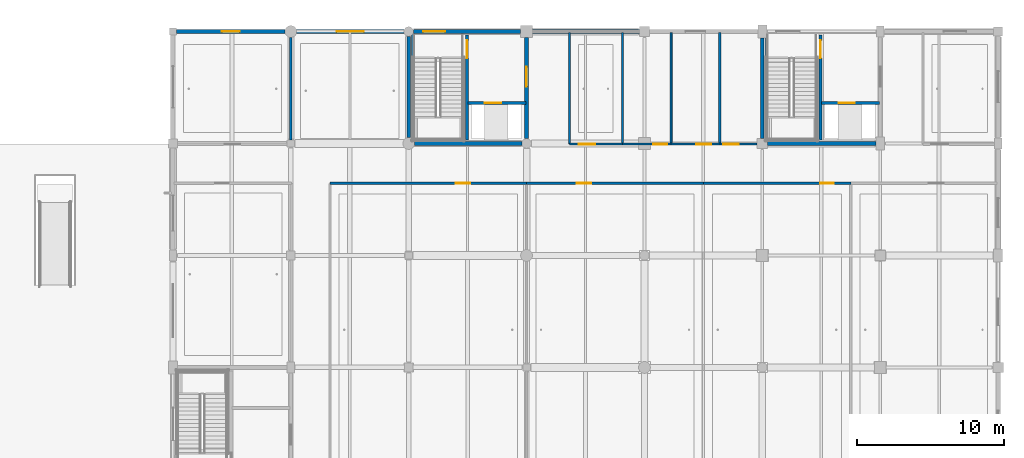
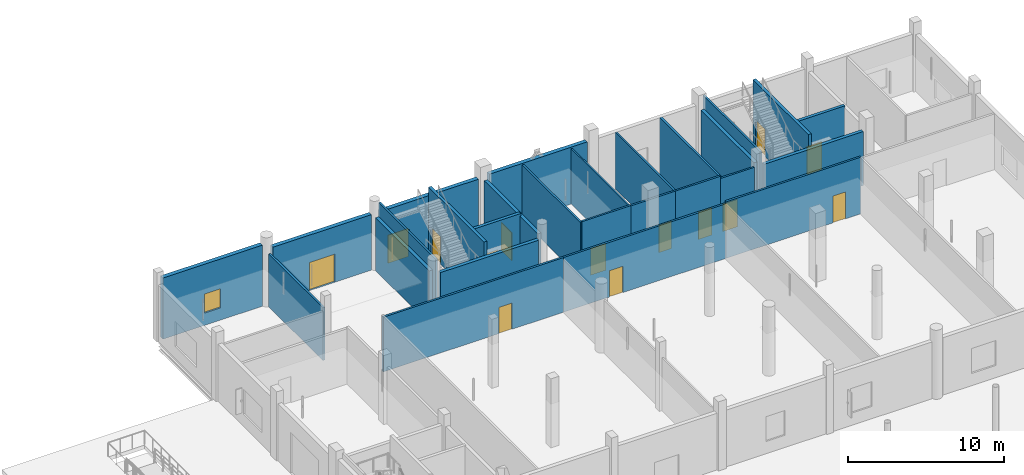
# One storey, part 70 of 126: 27 walls, 14 doors, 1 window, 15 openings.
"""IFC4 building model written with IfcOpenShell, lengths in metres."""

from ifc_helpers import new_model, si_unit, direction, frame, frame_2d, origin, place, context, subcontext, project, spatial, rectangle, extrude, material, layer, layer_set, type_object, element, fill, save


model = new_model("IFC4")

# Units and contexts
model_context = context("Model", 3, precision=1e-05, world=origin(), true_north=direction((0.0, 1.0)))
body_context = subcontext(model_context, "Body", "Model", "MODEL_VIEW")
ifc_project = project(units=[si_unit("LENGTHUNIT", "METRE"), si_unit("AREAUNIT", "SQUARE_METRE"), si_unit("VOLUMEUNIT", "CUBIC_METRE"), si_unit("PLANEANGLEUNIT", "RADIAN"), si_unit("MASSUNIT", "GRAM", prefix="KILO")], contexts=[model_context])

# Site, building, storey
site_placement = place(None, origin())
site = spatial("IfcSite", under=ifc_project, at=site_placement, CompositionType="ELEMENT")
building_placement = place(site_placement, origin())
building = spatial("IfcBuilding", under=site, at=building_placement, Name="Khelvaren Railside Concert Hall", CompositionType="ELEMENT")
storey_placement = place(building_placement, origin())
storey = spatial("IfcBuildingStorey", under=building, at=storey_placement, Name="L00", CompositionType="ELEMENT", Elevation=0.0)

# Walls
ifc_material_1 = material(Name="Concrete C40/50", Category="concrete")
ifc_layer_1 = layer(ifc_material_1, 0.139892578125)
ifc_layer_set_1 = layer_set([ifc_layer_1], Name="Concrete C40/50")
wall_type_1 = type_object("IfcWallType", Name="CW17", PredefinedType="SOLIDWALL", material=ifc_layer_set_1)
for number, where, z_axis, x_axis, name in (
    (1, (144.27490234375, 106.550048828125, 0.0), (0.0, 0.0, 1.0), (0.0, 1.0, 0.0), "Core Shaft Structural Liner Wall ST-09-L00"),
    (2, (168.27490234375, 106.550048828125, 0.0), (0.0, 0.0, 1.0), (0.0, 1.0, 0.0), "Core Shaft Structural Liner Wall ST-10-L00"),
):
    element("IfcWall", number, at=place(storey_placement, frame(where, z_axis=z_axis, x_axis=x_axis)), inside=storey, type_object=wall_type_1, Name=name, PredefinedType="SOLIDWALL", context=body_context, shape_type="SweptSolid", body=[
        extrude(rectangle(XDim=7.300048828125, YDim=0.139892578125, at=frame_2d((3.64990234375, 0.0))), origin(), (0.0, 0.0, 1.0), 5.10009765625),
    ])
ifc_layer_2 = layer(ifc_material_1, 0.25)
ifc_layer_set_2 = layer_set([ifc_layer_2], Name="Concrete C40/50")
wall_type_2 = type_object("IfcWallType", Name="CW82", PredefinedType="SOLIDWALL", material=ifc_layer_set_2)
wall_1_placement = place(storey_placement, frame((144.0, 106.800048828125, 0.0), z_axis=(0.0, 0.0, 1.0), x_axis=(0.0, 1.0, 0.0)))
element("IfcWall", 3, at=wall_1_placement, inside=storey, type_object=wall_type_2, Name="Core Enclosure Wall CWALL-ST-09-L00-W", PredefinedType="SOLIDWALL", context=body_context, shape_type="SweptSolid", body=[
    extrude(rectangle(XDim=6.875, YDim=0.25, at=frame_2d((3.4375, 0.0))), origin(), (0.0, 0.0, 1.0), 4.139892578125),
])
wall_2_placement = place(storey_placement, frame((144.39990234375, 106.39990234375, 0.0), z_axis=(0.0, 0.0, 1.0), x_axis=(1.0, 0.0, 0.0)))
element("IfcWall", 4, at=wall_2_placement, inside=storey, type_object=wall_type_2, Name="Core Enclosure Wall CWALL-ST-09-L00-S", PredefinedType="SOLIDWALL", context=body_context, shape_type="SweptSolid", body=[
    extrude(rectangle(XDim=7.275146484375, YDim=0.25, at=frame_2d((3.6376953125, 0.0))), origin(), (0.0, 0.0, 1.0), 4.139892578125),
])

# Wall, opening, door
wall_3_placement = place(storey_placement, frame((152.0, 106.72509765625, 0.0), z_axis=(0.0, 0.0, 1.0), x_axis=(0.0, 1.0, 0.0)))
wall_3 = element("IfcWall", 5, at=wall_3_placement, inside=storey, type_object=wall_type_2, Name="Core Enclosure Wall CWALL-ST-09-L00-E", PredefinedType="SOLIDWALL", context=body_context, shape_type="SweptSolid", body=[
    extrude(rectangle(XDim=6.875, YDim=0.25, at=frame_2d((3.4375, 0.0))), origin(), (0.0, 0.0, 1.0), 4.27490234375),
])
opening_1_placement = place(wall_3_placement, frame((3.52490234375, 0.0, 0.0)))
opening_1 = element("IfcOpeningElement", 6, at=opening_1_placement, cuts=wall_3, Name="Opening FDR34", PredefinedType="OPENING", context=body_context, shape_type="SweptSolid", body=[
    extrude(rectangle(XDim=1.35009765625, YDim=2.199951171875, at=frame_2d((0.675048828125, 1.10009765625))), frame((0.0, 0.135009765625, 0.0), z_axis=(0.0, -1.0, 0.0), x_axis=(1.0, 0.0, 0.0)), (0.0, 0.0, 1.0), 0.27001953125),
])
ifc_material_2 = material(Name="Acoustic fire-rated timber-core steel frame door", Category="steel")
door_type_1 = type_object("IfcDoorType", Name="FDR34", OperationType="NOTDEFINED", PredefinedType="DOOR", material=ifc_material_2)
door_1_placement = place(opening_1_placement, origin())
door_1 = element("IfcDoor", 7, at=door_1_placement, inside=storey, type_object=door_type_1, Name="Interior Door DR-ST-09-L00-LOB", OperationType="SINGLE_SWING_LEFT", OverallHeight=2.199951171875, OverallWidth=1.35009765625, PredefinedType="DOOR", context=body_context, shape_type="SweptSolid", body=[
    extrude(rectangle(XDim=1.35009765625, YDim=2.199951171875, at=frame_2d((0.675048828125, 1.10009765625))), frame((0.0, 0.02490234375, 0.0), z_axis=(0.0, -1.0, 0.0), x_axis=(1.0, 0.0, 0.0)), (0.0, 0.0, 1.0), 0.050048828125),
])
fill(opening_1, door_1)

# Walls
wall_4_placement = place(storey_placement, frame((168.0, 106.75, 0.0), z_axis=(0.0, 0.0, 1.0), x_axis=(0.0, 1.0, 0.0)))
element("IfcWall", 8, at=wall_4_placement, inside=storey, type_object=wall_type_2, Name="Core Enclosure Wall CWALL-ST-10-L00-W", PredefinedType="SOLIDWALL", context=body_context, shape_type="SweptSolid", body=[
    extrude(rectangle(XDim=6.800048828125, YDim=0.25, at=frame_2d((3.39990234375, 0.0))), origin(), (0.0, 0.0, 1.0), 4.22509765625),
])
wall_5_placement = place(storey_placement, frame((168.35009765625, 106.39990234375, 0.0), z_axis=(0.0, 0.0, 1.0), x_axis=(1.0, 0.0, 0.0)))
element("IfcWall", 9, at=wall_5_placement, inside=storey, type_object=wall_type_2, Name="Core Enclosure Wall CWALL-ST-10-L00-S", PredefinedType="SOLIDWALL", context=body_context, shape_type="SweptSolid", body=[
    extrude(rectangle(XDim=7.349853515625, YDim=0.25, at=frame_2d((3.6748046875, 0.0))), origin(), (0.0, 0.0, 1.0), 4.22509765625),
])

# Wall, opening, door
ifc_layer_3 = layer(ifc_material_1, 0.219970703125)
ifc_layer_set_3 = layer_set([ifc_layer_3], Name="Concrete C40/50")
wall_type_3 = type_object("IfcWallType", Name="CW97", PredefinedType="SOLIDWALL", material=ifc_layer_set_3)
wall_6_placement = place(storey_placement, frame((147.949951171875, 106.64990234375, 0.0), z_axis=(0.0, 0.0, 1.0), x_axis=(0.0, 1.0, 0.0)))
wall_6 = element("IfcWall", 10, at=wall_6_placement, inside=storey, type_object=wall_type_3, Name="Core Enclosure Wall CWALL-ST-09-L00-MID", PredefinedType="SOLIDWALL", context=body_context, shape_type="SweptSolid", body=[
    extrude(rectangle(XDim=7.10009765625, YDim=0.219970703125, at=frame_2d((3.550048828125, 0.0))), origin(), (0.0, 0.0, 1.0), 5.10009765625),
])
opening_2_placement = place(wall_6_placement, frame((5.550048828125, 0.0, 0.0)))
opening_2 = element("IfcOpeningElement", 11, at=opening_2_placement, cuts=wall_6, Name="Opening FDR17", PredefinedType="OPENING", context=body_context, shape_type="SweptSolid", body=[
    extrude(rectangle(XDim=1.199951171875, YDim=2.14990234375, at=frame_2d((0.60009765625, 1.074951171875))), frame((0.0, 0.119873046875, 0.0), z_axis=(0.0, -1.0, 0.0), x_axis=(1.0, 0.0, 0.0)), (0.0, 0.0, 1.0), 0.239990234375),
])
door_type_2 = type_object("IfcDoorType", Name="FDR17", OperationType="NOTDEFINED", PredefinedType="DOOR", material=ifc_material_2)
door_2_placement = place(opening_2_placement, origin())
door_2 = element("IfcDoor", 12, at=door_2_placement, inside=storey, type_object=door_type_2, Name="Interior Door DR-ST-09-L00-ST", OperationType="SINGLE_SWING_RIGHT", OverallHeight=2.14990234375, OverallWidth=1.199951171875, PredefinedType="DOOR", context=body_context, shape_type="SweptSolid", body=[
    extrude(rectangle(XDim=1.199951171875, YDim=2.14990234375, at=frame_2d((0.60009765625, 1.074951171875))), frame((0.0, 0.02490234375, 0.0), z_axis=(0.0, -1.0, 0.0), x_axis=(1.0, 0.0, 0.0)), (0.0, 0.0, 1.0), 0.050048828125),
])
fill(opening_2, door_2)

wall_7_placement = place(storey_placement, frame((148.02001953125, 109.14990234375, 0.0), z_axis=(0.0, 0.0, 1.0), x_axis=(1.0, 0.0, 0.0)))
wall_7 = element("IfcWall", 13, at=wall_7_placement, inside=storey, type_object=wall_type_3, Name="Core Enclosure Wall CWALL-ST-09-L00-SHF", PredefinedType="SOLIDWALL", context=body_context, shape_type="SweptSolid", body=[
    extrude(rectangle(XDim=3.929931640625, YDim=0.219970703125, at=frame_2d((1.96484375, 0.0))), origin(), (0.0, 0.0, 1.0), 4.449951171875),
])
opening_3_placement = place(wall_7_placement, frame((1.14990234375, 0.0, 0.0)))
opening_3 = element("IfcOpeningElement", 14, at=opening_3_placement, cuts=wall_7, Name="Opening LD-FL-02", PredefinedType="OPENING", context=body_context, shape_type="SweptSolid", body=[
    extrude(rectangle(XDim=1.10009765625, YDim=2.199951171875, at=frame_2d((0.550048828125, 1.10009765625))), frame((0.0, 0.119873046875, 0.0), z_axis=(0.0, -1.0, 0.0), x_axis=(1.0, 0.0, 0.0)), (0.0, 0.0, 1.0), 0.239990234375),
])
ifc_material_3 = material(Name="Fire-rated brushed stainless steel landing door", Category="steel")
door_type_3 = type_object("IfcDoorType", Name="LD96", OperationType="DOUBLE_DOOR_SLIDING", PredefinedType="DOOR", material=ifc_material_3)
door_3_placement = place(opening_3_placement, origin())
door_3 = element("IfcDoor", 15, at=door_3_placement, inside=storey, type_object=door_type_3, Name="Lift Landing Door LD-FL-02-L00", OperationType="DOUBLE_DOOR_SLIDING", OverallHeight=2.199951171875, OverallWidth=1.10009765625, PredefinedType="DOOR", context=body_context, shape_type="SweptSolid", body=[
    extrude(rectangle(XDim=1.10009765625, YDim=2.199951171875, at=frame_2d((0.550048828125, 1.10009765625))), frame((0.0, 0.02490234375, 0.0), z_axis=(0.0, -1.0, 0.0), x_axis=(1.0, 0.0, 0.0)), (0.0, 0.0, 1.0), 0.050048828125),
])
fill(opening_3, door_3)

wall_8_placement = place(storey_placement, frame((171.949951171875, 106.64990234375, 0.0), z_axis=(0.0, 0.0, 1.0), x_axis=(0.0, 1.0, 0.0)))
wall_8 = element("IfcWall", 16, at=wall_8_placement, inside=storey, type_object=wall_type_3, Name="Core Enclosure Wall CWALL-ST-10-L00-MID", PredefinedType="SOLIDWALL", context=body_context, shape_type="SweptSolid", body=[
    extrude(rectangle(XDim=7.10009765625, YDim=0.219970703125, at=frame_2d((3.550048828125, 0.0))), origin(), (0.0, 0.0, 1.0), 5.10009765625),
])
opening_4_placement = place(wall_8_placement, frame((5.550048828125, 0.0, 0.0)))
opening_4 = element("IfcOpeningElement", 17, at=opening_4_placement, cuts=wall_8, Name="Opening FDR17", PredefinedType="OPENING", context=body_context, shape_type="SweptSolid", body=[
    extrude(rectangle(XDim=1.199951171875, YDim=2.14990234375, at=frame_2d((0.60009765625, 1.074951171875))), frame((0.0, 0.119873046875, 0.0), z_axis=(0.0, -1.0, 0.0), x_axis=(1.0, 0.0, 0.0)), (0.0, 0.0, 1.0), 0.239990234375),
])
door_4_placement = place(opening_4_placement, origin())
door_4 = element("IfcDoor", 18, at=door_4_placement, inside=storey, type_object=door_type_2, Name="Interior Door DR-ST-10-L00-ST", OperationType="SINGLE_SWING_RIGHT", OverallHeight=2.14990234375, OverallWidth=1.199951171875, PredefinedType="DOOR", context=body_context, shape_type="SweptSolid", body=[
    extrude(rectangle(XDim=1.199951171875, YDim=2.14990234375, at=frame_2d((0.60009765625, 1.074951171875))), frame((0.0, 0.02490234375, 0.0), z_axis=(0.0, -1.0, 0.0), x_axis=(1.0, 0.0, 0.0)), (0.0, 0.0, 1.0), 0.050048828125),
])
fill(opening_4, door_4)

wall_9_placement = place(storey_placement, frame((172.02001953125, 109.14990234375, 0.0), z_axis=(0.0, 0.0, 1.0), x_axis=(1.0, 0.0, 0.0)))
wall_9 = element("IfcWall", 19, at=wall_9_placement, inside=storey, type_object=wall_type_3, Name="Core Enclosure Wall CWALL-ST-10-L00-SHF", PredefinedType="SOLIDWALL", context=body_context, shape_type="SweptSolid", body=[
    extrude(rectangle(XDim=3.929931640625, YDim=0.219970703125, at=frame_2d((1.96484375, 0.0))), origin(), (0.0, 0.0, 1.0), 4.47509765625),
])
opening_5_placement = place(wall_9_placement, frame((1.14990234375, 0.0, 0.0)))
opening_5 = element("IfcOpeningElement", 20, at=opening_5_placement, cuts=wall_9, Name="Opening LD-FL-01", PredefinedType="OPENING", context=body_context, shape_type="SweptSolid", body=[
    extrude(rectangle(XDim=1.10009765625, YDim=2.199951171875, at=frame_2d((0.550048828125, 1.10009765625))), frame((0.0, 0.119873046875, 0.0), z_axis=(0.0, -1.0, 0.0), x_axis=(1.0, 0.0, 0.0)), (0.0, 0.0, 1.0), 0.239990234375),
])
door_5_placement = place(opening_5_placement, origin())
door_5 = element("IfcDoor", 21, at=door_5_placement, inside=storey, type_object=door_type_3, Name="Lift Landing Door LD-FL-01-L00", OperationType="DOUBLE_DOOR_SLIDING", OverallHeight=2.199951171875, OverallWidth=1.10009765625, PredefinedType="DOOR", context=body_context, shape_type="SweptSolid", body=[
    extrude(rectangle(XDim=1.10009765625, YDim=2.199951171875, at=frame_2d((0.550048828125, 1.10009765625))), frame((0.0, 0.02490234375, 0.0), z_axis=(0.0, -1.0, 0.0), x_axis=(1.0, 0.0, 0.0)), (0.0, 0.0, 1.0), 0.050048828125),
])
fill(opening_5, door_5)

# Wall, opening, window
ifc_material_4 = material(Name="Board-marked architectural concrete C40/50", Category="concrete")
ifc_layer_4 = layer(ifc_material_4, 0.300048828125)
ifc_layer_set_4 = layer_set([ifc_layer_4], Name="Board-marked architectural concrete C40/50")
wall_type_4 = type_object("IfcWallType", Name="EW54", PredefinedType="SOLIDWALL", material=ifc_layer_set_4)
wall_10_placement = place(storey_placement, frame((128.25, 114.0, 0.0), z_axis=(0.0, 0.0, 1.0), x_axis=(1.0, 0.0, 0.0)))
wall_10 = element("IfcWall", 22, at=wall_10_placement, inside=storey, type_object=wall_type_4, Name="V5 L00 Exterior Concrete Wall N-128", PredefinedType="SOLIDWALL", context=body_context, shape_type="SweptSolid", body=[
    extrude(rectangle(XDim=7.35009765625, YDim=0.300048828125, at=frame_2d((3.675048828125, 0.0))), origin(), (0.0, 0.0, 1.0), 4.780029296875),
])
opening_6_placement = place(wall_10_placement, frame((3.074951171875, 0.0, 0.949951171875)))
opening_6 = element("IfcOpeningElement", 23, at=opening_6_placement, cuts=wall_10, Name="Opening WN35", PredefinedType="OPENING", context=body_context, shape_type="SweptSolid", body=[
    extrude(rectangle(XDim=1.199951171875, YDim=1.5, at=frame_2d((0.60009765625, 0.75))), frame((0.0, 0.159912109375, 0.0), z_axis=(0.0, -1.0, 0.0), x_axis=(1.0, 0.0, 0.0)), (0.0, 0.0, 1.0), 0.320068359375),
])
ifc_material_5 = material(Name="Triple-glazed acoustic aluminium window", Category="aluminium")
window_type = type_object("IfcWindowType", Name="WN35", PartitioningType="SINGLE_PANEL", PredefinedType="WINDOW", material=ifc_material_5)
window_placement = place(opening_6_placement, origin())
window = element("IfcWindow", 24, at=window_placement, inside=storey, type_object=window_type, Name="Acoustic Facade Window EW-V5-L00-N-128", OverallHeight=1.5, OverallWidth=1.199951171875, PartitioningType="SINGLE_PANEL", PredefinedType="WINDOW", context=body_context, shape_type="SweptSolid", body=[
    extrude(rectangle(XDim=1.199951171875, YDim=1.5, at=frame_2d((0.60009765625, 0.75))), frame((0.0, 0.030029296875, 0.0), z_axis=(0.0, -1.0, 0.0), x_axis=(1.0, 0.0, 0.0)), (0.0, 0.0, 1.0), 0.06005859375),
])
fill(opening_6, window)

# Wall, opening, door
wall_11_placement = place(storey_placement, frame((136.39990234375, 114.0, 0.0), z_axis=(0.0, 0.0, 1.0), x_axis=(1.0, 0.0, 0.0)))
wall_11 = element("IfcWall", 25, at=wall_11_placement, inside=storey, type_object=wall_type_4, Name="V5 L00 Exterior Concrete Wall N-136", PredefinedType="SOLIDWALL", context=body_context, shape_type="SweptSolid", body=[
    extrude(rectangle(XDim=7.275146484375, YDim=0.300048828125, at=frame_2d((3.6376953125, 0.0))), origin(), (0.0, 0.0, 1.0), 4.340087890625),
])
opening_7_placement = place(wall_11_placement, frame((2.71240234375, 0.0, 0.0)))
opening_7 = element("IfcOpeningElement", 26, at=opening_7_placement, cuts=wall_11, Name="Opening E-V5-02", PredefinedType="OPENING", context=body_context, shape_type="SweptSolid", body=[
    extrude(rectangle(XDim=1.85009765625, YDim=2.199951171875, at=frame_2d((0.925048828125, 1.10009765625))), frame((0.0, 0.159912109375, 0.0), z_axis=(0.0, -1.0, 0.0), x_axis=(1.0, 0.0, 0.0)), (0.0, 0.0, 1.0), 0.320068359375),
])
ifc_material_6 = material(Name="Anodised bronze glazed entrance door", Category="aluminium")
door_type_4 = type_object("IfcDoorType", Name="EDR28", OperationType="NOTDEFINED", PredefinedType="DOOR", material=ifc_material_6)
door_6_placement = place(opening_7_placement, origin())
door_6 = element("IfcDoor", 27, at=door_6_placement, inside=storey, type_object=door_type_4, Name="Public Entrance Exit Door E-V5-02", OperationType="SINGLE_SWING_LEFT", OverallHeight=2.199951171875, OverallWidth=1.85009765625, PredefinedType="DOOR", context=body_context, shape_type="SweptSolid", body=[
    extrude(rectangle(XDim=1.85009765625, YDim=2.199951171875, at=frame_2d((0.925048828125, 1.10009765625))), frame((0.0, 0.02490234375, 0.0), z_axis=(0.0, -1.0, 0.0), x_axis=(1.0, 0.0, 0.0)), (0.0, 0.0, 1.0), 0.050048828125),
])
fill(opening_7, door_6)

wall_12_placement = place(storey_placement, frame((144.324951171875, 114.0, 0.0), z_axis=(0.0, 0.0, 1.0), x_axis=(1.0, 0.0, 0.0)))
wall_12 = element("IfcWall", 28, at=wall_12_placement, inside=storey, type_object=wall_type_4, Name="V5 L00 Exterior Concrete Wall N-144", PredefinedType="SOLIDWALL", context=body_context, shape_type="SweptSolid", body=[
    extrude(rectangle(XDim=7.275146484375, YDim=0.300048828125, at=frame_2d((3.6376953125, 0.0))), origin(), (0.0, 0.0, 1.0), 4.340087890625),
])
opening_8_placement = place(wall_12_placement, frame((0.64990234375, 0.0, 0.0)))
opening_8 = element("IfcOpeningElement", 29, at=opening_8_placement, cuts=wall_12, Name="Opening E-ST09", PredefinedType="OPENING", context=body_context, shape_type="SweptSolid", body=[
    extrude(rectangle(XDim=1.5, YDim=2.199951171875, at=frame_2d((0.75, 1.10009765625))), frame((0.0, 0.159912109375, 0.0), z_axis=(0.0, -1.0, 0.0), x_axis=(1.0, 0.0, 0.0)), (0.0, 0.0, 1.0), 0.320068359375),
])
ifc_material_7 = material(Name="Acoustic thermally broken steel exit door", Category="steel")
door_type_5 = type_object("IfcDoorType", Name="EDR82", OperationType="NOTDEFINED", PredefinedType="DOOR", material=ifc_material_7)
door_7_placement = place(opening_8_placement, origin())
door_7 = element("IfcDoor", 30, at=door_7_placement, inside=storey, type_object=door_type_5, Name="Final Stair Exit Door E-ST09", OperationType="SINGLE_SWING_RIGHT", OverallHeight=2.199951171875, OverallWidth=1.5, PredefinedType="DOOR", context=body_context, shape_type="SweptSolid", body=[
    extrude(rectangle(XDim=1.5, YDim=2.199951171875, at=frame_2d((0.75, 1.10009765625))), frame((0.0, 0.02490234375, 0.0), z_axis=(0.0, -1.0, 0.0), x_axis=(1.0, 0.0, 0.0)), (0.0, 0.0, 1.0), 0.050048828125),
])
fill(opening_8, door_7)

# Walls
wall_13_placement = place(storey_placement, frame((152.39990234375, 114.0, 0.0), z_axis=(0.0, 0.0, 1.0), x_axis=(1.0, 0.0, 0.0)))
element("IfcWall", 31, at=wall_13_placement, inside=storey, type_object=wall_type_4, Name="V5 L00 Exterior Concrete Wall N-152", PredefinedType="SOLIDWALL", context=body_context, shape_type="SweptSolid", body=[
    extrude(rectangle(XDim=7.25, YDim=0.300048828125, at=frame_2d((3.625, 0.0))), origin(), (0.0, 0.0, 1.0), 4.43994140625),
])
ifc_material_8 = material(Name="Acoustic double-stud gypsum partition", Category="gypsum")
ifc_layer_5 = layer(ifc_material_8, 0.1298828125)
ifc_layer_set_5 = layer_set([ifc_layer_5], Name="Acoustic double-stud gypsum partition")
wall_type_5 = type_object("IfcWallType", Name="PT31", PredefinedType="PARTITIONING", material=ifc_layer_set_5)
wall_14_placement = place(storey_placement, frame((161.81103515625, 106.35009765625, 0.0), z_axis=(0.0, 0.0, 1.0), x_axis=(0.0, 1.0, 0.0)))
element("IfcWall", 32, at=wall_14_placement, inside=storey, type_object=wall_type_5, Name="Acoustic Partition Wall PW-V5-L00-N-D02", PredefinedType="PARTITIONING", context=body_context, shape_type="SweptSolid", body=[
    extrude(rectangle(XDim=7.56982421875, YDim=0.1298828125, at=frame_2d((3.784912109375, 0.0))), origin(), (0.0, 0.0, 1.0), 4.425048828125),
])

# Wall, opening, door
ifc_layer_6 = layer(ifc_material_8, 0.139892578125)
ifc_layer_set_6 = layer_set([ifc_layer_6], Name="Acoustic double-stud gypsum partition")
wall_type_6 = type_object("IfcWallType", Name="PT55", PredefinedType="PARTITIONING", material=ifc_layer_set_6)
wall_15_placement = place(storey_placement, frame((154.89990234375, 106.35009765625, 0.0), z_axis=(0.0, 0.0, 1.0), x_axis=(1.0, 0.0, 0.0)))
wall_15 = element("IfcWall", 33, at=wall_15_placement, inside=storey, type_object=wall_type_6, Name="Acoustic Partition Wall PW-V5-L00-N-C01", PredefinedType="PARTITIONING", context=body_context, shape_type="SweptSolid", body=[
    extrude(rectangle(XDim=3.606201171875, YDim=0.139892578125, at=frame_2d((1.80322265625, 0.0))), origin(), (0.0, 0.0, 1.0), 4.449951171875),
])
opening_9_placement = place(wall_15_placement, frame((0.6533203125, 0.0, 0.0)))
opening_9 = element("IfcOpeningElement", 34, at=opening_9_placement, cuts=wall_15, Name="Opening IDR53", PredefinedType="OPENING", context=body_context, shape_type="SweptSolid", body=[
    extrude(rectangle(XDim=1.1201171875, YDim=2.10009765625, at=frame_2d((0.56005859375, 1.050048828125))), frame((0.0, 0.079833984375, 0.0), z_axis=(0.0, -1.0, 0.0), x_axis=(1.0, 0.0, 0.0)), (0.0, 0.0, 1.0), 0.159912109375),
])
ifc_material_9 = material(Name="Solid oak acoustic studio door", Category="wood")
door_type_6 = type_object("IfcDoorType", Name="IDR53", OperationType="NOTDEFINED", PredefinedType="DOOR", material=ifc_material_9)
door_8_placement = place(opening_9_placement, origin())
door_8 = element("IfcDoor", 35, at=door_8_placement, inside=storey, type_object=door_type_6, Name="Interior Door DR-V5-L00-N-01", OperationType="SINGLE_SWING_RIGHT", OverallHeight=2.10009765625, OverallWidth=1.1201171875, PredefinedType="DOOR", context=body_context, shape_type="SweptSolid", body=[
    extrude(rectangle(XDim=1.1201171875, YDim=2.10009765625, at=frame_2d((0.56005859375, 1.050048828125))), frame((0.0, 0.02490234375, 0.0), z_axis=(0.0, -1.0, 0.0), x_axis=(1.0, 0.0, 0.0)), (0.0, 0.0, 1.0), 0.050048828125),
])
fill(opening_9, door_8)

wall_16_placement = place(storey_placement, frame((158.506103515625, 106.35009765625, 0.0), z_axis=(0.0, 0.0, 1.0), x_axis=(1.0, 0.0, 0.0)))
wall_16 = element("IfcWall", 36, at=wall_16_placement, inside=storey, type_object=wall_type_6, Name="Acoustic Partition Wall PW-V5-L00-N-C02", PredefinedType="PARTITIONING", context=body_context, shape_type="SweptSolid", body=[
    extrude(rectangle(XDim=3.304931640625, YDim=0.139892578125, at=frame_2d((1.65234375, 0.0))), origin(), (0.0, 0.0, 1.0), 4.425048828125),
])
opening_10_placement = place(wall_16_placement, frame((2.0849609375, 0.0, 0.0)))
opening_10 = element("IfcOpeningElement", 37, at=opening_10_placement, cuts=wall_16, Name="Opening IDR66", PredefinedType="OPENING", context=body_context, shape_type="SweptSolid", body=[
    extrude(rectangle(XDim=0.949951171875, YDim=2.14990234375, at=frame_2d((0.47509765625, 1.074951171875))), frame((0.0, 0.079833984375, 0.0), z_axis=(0.0, -1.0, 0.0), x_axis=(1.0, 0.0, 0.0)), (0.0, 0.0, 1.0), 0.159912109375),
])
door_type_7 = type_object("IfcDoorType", Name="IDR66", OperationType="NOTDEFINED", PredefinedType="DOOR", material=ifc_material_9)
door_9_placement = place(opening_10_placement, origin())
door_9 = element("IfcDoor", 38, at=door_9_placement, inside=storey, type_object=door_type_7, Name="Interior Door DR-V5-L00-N-02", OperationType="SINGLE_SWING_LEFT", OverallHeight=2.14990234375, OverallWidth=0.949951171875, PredefinedType="DOOR", context=body_context, shape_type="SweptSolid", body=[
    extrude(rectangle(XDim=0.949951171875, YDim=2.14990234375, at=frame_2d((0.47509765625, 1.074951171875))), frame((0.0, 0.02490234375, 0.0), z_axis=(0.0, -1.0, 0.0), x_axis=(1.0, 0.0, 0.0)), (0.0, 0.0, 1.0), 0.050048828125),
])
fill(opening_10, door_9)

wall_17_placement = place(storey_placement, frame((161.81103515625, 106.35009765625, 0.0), z_axis=(0.0, 0.0, 1.0), x_axis=(1.0, 0.0, 0.0)))
wall_17 = element("IfcWall", 39, at=wall_17_placement, inside=storey, type_object=wall_type_6, Name="Acoustic Partition Wall PW-V5-L00-N-C03", PredefinedType="PARTITIONING", context=body_context, shape_type="SweptSolid", body=[
    extrude(rectangle(XDim=3.304931640625, YDim=0.139892578125, at=frame_2d((1.65234375, 0.0))), origin(), (0.0, 0.0, 1.0), 4.425048828125),
])
opening_11_placement = place(wall_17_placement, frame((1.7119140625, 0.0, 0.0)))
opening_11 = element("IfcOpeningElement", 40, at=opening_11_placement, cuts=wall_17, Name="Opening IDR26", PredefinedType="OPENING", context=body_context, shape_type="SweptSolid", body=[
    extrude(rectangle(XDim=1.010009765625, YDim=2.14990234375, at=frame_2d((0.5048828125, 1.074951171875))), frame((0.0, 0.079833984375, 0.0), z_axis=(0.0, -1.0, 0.0), x_axis=(1.0, 0.0, 0.0)), (0.0, 0.0, 1.0), 0.159912109375),
])
door_type_8 = type_object("IfcDoorType", Name="IDR26", OperationType="NOTDEFINED", PredefinedType="DOOR", material=ifc_material_9)
door_10_placement = place(opening_11_placement, origin())
door_10 = element("IfcDoor", 41, at=door_10_placement, inside=storey, type_object=door_type_8, Name="Interior Door DR-V5-L00-N-03", OperationType="SINGLE_SWING_RIGHT", OverallHeight=2.14990234375, OverallWidth=1.010009765625, PredefinedType="DOOR", context=body_context, shape_type="SweptSolid", body=[
    extrude(rectangle(XDim=1.010009765625, YDim=2.14990234375, at=frame_2d((0.5048828125, 1.074951171875))), frame((0.0, 0.02490234375, 0.0), z_axis=(0.0, -1.0, 0.0), x_axis=(1.0, 0.0, 0.0)), (0.0, 0.0, 1.0), 0.050048828125),
])
fill(opening_11, door_10)

wall_18_placement = place(storey_placement, frame((165.115966796875, 106.35009765625, 0.0), z_axis=(0.0, 0.0, 1.0), x_axis=(1.0, 0.0, 0.0)))
wall_18 = element("IfcWall", 42, at=wall_18_placement, inside=storey, type_object=wall_type_6, Name="Acoustic Partition Wall PW-V5-L00-N-C04", PredefinedType="PARTITIONING", context=body_context, shape_type="SweptSolid", body=[
    extrude(rectangle(XDim=2.533935546875, YDim=0.139892578125, at=frame_2d((1.26708984375, 0.0))), origin(), (0.0, 0.0, 1.0), 4.239990234375),
])
opening_12_placement = place(wall_18_placement, frame((0.219970703125, 0.0, 0.0)))
opening_12 = element("IfcOpeningElement", 43, at=opening_12_placement, cuts=wall_18, Name="Opening IDR62", PredefinedType="OPENING", context=body_context, shape_type="SweptSolid", body=[
    extrude(rectangle(XDim=1.070068359375, YDim=2.14990234375, at=frame_2d((0.53515625, 1.074951171875))), frame((0.0, 0.079833984375, 0.0), z_axis=(0.0, -1.0, 0.0), x_axis=(1.0, 0.0, 0.0)), (0.0, 0.0, 1.0), 0.159912109375),
])
door_type_9 = type_object("IfcDoorType", Name="IDR62", OperationType="NOTDEFINED", PredefinedType="DOOR", material=ifc_material_9)
door_11_placement = place(opening_12_placement, origin())
door_11 = element("IfcDoor", 44, at=door_11_placement, inside=storey, type_object=door_type_9, Name="Interior Door DR-V5-L00-N-04", OperationType="SINGLE_SWING_LEFT", OverallHeight=2.14990234375, OverallWidth=1.070068359375, PredefinedType="DOOR", context=body_context, shape_type="SweptSolid", body=[
    extrude(rectangle(XDim=1.070068359375, YDim=2.14990234375, at=frame_2d((0.53515625, 1.074951171875))), frame((0.0, 0.02490234375, 0.0), z_axis=(0.0, -1.0, 0.0), x_axis=(1.0, 0.0, 0.0)), (0.0, 0.0, 1.0), 0.050048828125),
])
fill(opening_12, door_11)

# Walls
wall_19_placement = place(storey_placement, frame((154.89990234375, 106.35009765625, 0.0), z_axis=(0.0, 0.0, 1.0), x_axis=(0.0, 1.0, 0.0)))
element("IfcWall", 45, at=wall_19_placement, inside=storey, type_object=wall_type_6, Name="Acoustic Partition Wall PW-V5-L00-N-W0", PredefinedType="PARTITIONING", context=body_context, shape_type="SweptSolid", body=[
    extrude(rectangle(XDim=7.56982421875, YDim=0.139892578125, at=frame_2d((3.784912109375, 0.0))), origin(), (0.0, 0.0, 1.0), 4.324951171875),
])
ifc_layer_7 = layer(ifc_material_8, 0.14990234375)
ifc_layer_set_7 = layer_set([ifc_layer_7], Name="Acoustic double-stud gypsum partition")
wall_type_7 = type_object("IfcWallType", Name="PT66", PredefinedType="PARTITIONING", material=ifc_layer_set_7)
wall_20_placement = place(storey_placement, frame((165.115966796875, 106.35009765625, 0.0), z_axis=(0.0, 0.0, 1.0), x_axis=(0.0, 1.0, 0.0)))
element("IfcWall", 46, at=wall_20_placement, inside=storey, type_object=wall_type_7, Name="Acoustic Partition Wall PW-V5-L00-N-D03", PredefinedType="PARTITIONING", context=body_context, shape_type="SweptSolid", body=[
    extrude(rectangle(XDim=7.56982421875, YDim=0.14990234375, at=frame_2d((3.784912109375, 0.0))), origin(), (0.0, 0.0, 1.0), 4.425048828125),
])

# Wall, opening, door
ifc_layer_8 = layer(ifc_material_8, 0.14990234375)
ifc_layer_set_8 = layer_set([ifc_layer_8], Name="Acoustic double-stud gypsum partition")
wall_type_8 = type_object("IfcWallType", Name="PT72", PredefinedType="PARTITIONING", material=ifc_layer_set_8)
wall_21_placement = place(storey_placement, frame((138.64990234375, 103.699951171875, 0.0), z_axis=(0.0, 0.0, 1.0), x_axis=(1.0, 0.0, 0.0)))
wall_21 = element("IfcWall", 47, at=wall_21_placement, inside=storey, type_object=wall_type_8, Name="Acoustic Partition Wall PW-V5-L00-S-C01", PredefinedType="PARTITIONING", context=body_context, shape_type="SweptSolid", body=[
    extrude(rectangle(XDim=13.35009765625, YDim=0.14990234375, at=frame_2d((6.675048828125, 0.0))), origin(), (0.0, 0.0, 1.0), 4.27490234375),
])
opening_13_placement = place(wall_21_placement, frame((8.556884765625, 0.0, 0.0)))
opening_13 = element("IfcOpeningElement", 48, at=opening_13_placement, cuts=wall_21, Name="Opening IDR50", PredefinedType="OPENING", context=body_context, shape_type="SweptSolid", body=[
    extrude(rectangle(XDim=0.9599609375, YDim=2.050048828125, at=frame_2d((0.47998046875, 1.02490234375))), frame((0.0, 0.0849609375, 0.0), z_axis=(0.0, -1.0, 0.0), x_axis=(1.0, 0.0, 0.0)), (0.0, 0.0, 1.0), 0.169921875),
])
door_type_10 = type_object("IfcDoorType", Name="IDR50", OperationType="NOTDEFINED", PredefinedType="DOOR", material=ifc_material_9)
door_12_placement = place(opening_13_placement, origin())
door_12 = element("IfcDoor", 49, at=door_12_placement, inside=storey, type_object=door_type_10, Name="Interior Door DR-V5-L00-S-01", OperationType="SINGLE_SWING_LEFT", OverallHeight=2.050048828125, OverallWidth=0.9599609375, PredefinedType="DOOR", context=body_context, shape_type="SweptSolid", body=[
    extrude(rectangle(XDim=0.9599609375, YDim=2.050048828125, at=frame_2d((0.47998046875, 1.02490234375))), frame((0.0, 0.02490234375, 0.0), z_axis=(0.0, -1.0, 0.0), x_axis=(1.0, 0.0, 0.0)), (0.0, 0.0, 1.0), 0.050048828125),
])
fill(opening_13, door_12)

wall_22_placement = place(storey_placement, frame((152.0, 103.699951171875, 0.0), z_axis=(0.0, 0.0, 1.0), x_axis=(1.0, 0.0, 0.0)))
wall_22 = element("IfcWall", 50, at=wall_22_placement, inside=storey, type_object=wall_type_8, Name="Acoustic Partition Wall PW-V5-L00-S-C02", PredefinedType="PARTITIONING", context=body_context, shape_type="SweptSolid", body=[
    extrude(rectangle(XDim=12.0, YDim=0.14990234375, at=frame_2d((6.0, 0.0))), origin(), (0.0, 0.0, 1.0), 4.27490234375),
])
opening_14_placement = place(wall_22_placement, frame((3.387939453125, 0.0, 0.0)))
opening_14 = element("IfcOpeningElement", 51, at=opening_14_placement, cuts=wall_22, Name="Opening IDR21", PredefinedType="OPENING", context=body_context, shape_type="SweptSolid", body=[
    extrude(rectangle(XDim=1.0, YDim=2.050048828125, at=frame_2d((0.5, 1.02490234375))), frame((0.0, 0.0849609375, 0.0), z_axis=(0.0, -1.0, 0.0), x_axis=(1.0, 0.0, 0.0)), (0.0, 0.0, 1.0), 0.169921875),
])
door_type_11 = type_object("IfcDoorType", Name="IDR21", OperationType="NOTDEFINED", PredefinedType="DOOR", material=ifc_material_9)
door_13_placement = place(opening_14_placement, origin())
door_13 = element("IfcDoor", 52, at=door_13_placement, inside=storey, type_object=door_type_11, Name="Interior Door DR-V5-L00-S-02", OperationType="SINGLE_SWING_RIGHT", OverallHeight=2.050048828125, OverallWidth=1.0, PredefinedType="DOOR", context=body_context, shape_type="SweptSolid", body=[
    extrude(rectangle(XDim=1.0, YDim=2.050048828125, at=frame_2d((0.5, 1.02490234375))), frame((0.0, 0.02490234375, 0.0), z_axis=(0.0, -1.0, 0.0), x_axis=(1.0, 0.0, 0.0)), (0.0, 0.0, 1.0), 0.050048828125),
])
fill(opening_14, door_13)

wall_23_placement = place(storey_placement, frame((164.0, 103.699951171875, 0.0), z_axis=(0.0, 0.0, 1.0), x_axis=(1.0, 0.0, 0.0)))
wall_23 = element("IfcWall", 53, at=wall_23_placement, inside=storey, type_object=wall_type_8, Name="Acoustic Partition Wall PW-V5-L00-S-C03", PredefinedType="PARTITIONING", context=body_context, shape_type="SweptSolid", body=[
    extrude(rectangle(XDim=10.0, YDim=0.14990234375, at=frame_2d((5.0, 0.0))), origin(), (0.0, 0.0, 1.0), 4.425048828125),
])
opening_15_placement = place(wall_23_placement, frame((7.924072265625, 0.0, 0.0)))
opening_15 = element("IfcOpeningElement", 54, at=opening_15_placement, cuts=wall_23, Name="Opening IDR30", PredefinedType="OPENING", context=body_context, shape_type="SweptSolid", body=[
    extrude(rectangle(XDim=0.929931640625, YDim=2.10009765625, at=frame_2d((0.46484375, 1.050048828125))), frame((0.0, 0.0849609375, 0.0), z_axis=(0.0, -1.0, 0.0), x_axis=(1.0, 0.0, 0.0)), (0.0, 0.0, 1.0), 0.169921875),
])
door_type_12 = type_object("IfcDoorType", Name="IDR30", OperationType="NOTDEFINED", PredefinedType="DOOR", material=ifc_material_9)
door_14_placement = place(opening_15_placement, origin())
door_14 = element("IfcDoor", 55, at=door_14_placement, inside=storey, type_object=door_type_12, Name="Interior Door DR-V5-L00-S-03", OperationType="SINGLE_SWING_LEFT", OverallHeight=2.10009765625, OverallWidth=0.929931640625, PredefinedType="DOOR", context=body_context, shape_type="SweptSolid", body=[
    extrude(rectangle(XDim=0.929931640625, YDim=2.10009765625, at=frame_2d((0.46484375, 1.050048828125))), frame((0.0, 0.02490234375, 0.0), z_axis=(0.0, -1.0, 0.0), x_axis=(1.0, 0.0, 0.0)), (0.0, 0.0, 1.0), 0.050048828125),
])
fill(opening_15, door_14)

# Walls
wall_24_placement = place(storey_placement, frame((136.0, 106.64990234375, 0.0), z_axis=(0.0, 0.0, 1.0), x_axis=(0.0, 1.0, 0.0)))
element("IfcWall", 56, at=wall_24_placement, inside=storey, type_object=wall_type_8, Name="Acoustic Partition Wall PW-V5-L00-NW-E0", PredefinedType="PARTITIONING", context=body_context, shape_type="SweptSolid", body=[
    extrude(rectangle(XDim=6.9501953125, YDim=0.14990234375, at=frame_2d((3.47509765625, 0.0))), origin(), (0.0, 0.0, 1.0), 4.139892578125),
])
ifc_layer_9 = layer(ifc_material_8, 0.110107421875)
ifc_layer_set_9 = layer_set([ifc_layer_9], Name="Acoustic double-stud gypsum partition")
wall_type_9 = type_object("IfcWallType", Name="PT80", PredefinedType="PARTITIONING", material=ifc_layer_set_9)
wall_25_placement = place(storey_placement, frame((158.506103515625, 106.35009765625, 0.0), z_axis=(0.0, 0.0, 1.0), x_axis=(0.0, 1.0, 0.0)))
element("IfcWall", 57, at=wall_25_placement, inside=storey, type_object=wall_type_9, Name="Acoustic Partition Wall PW-V5-L00-N-D01", PredefinedType="PARTITIONING", context=body_context, shape_type="SweptSolid", body=[
    extrude(rectangle(XDim=7.56982421875, YDim=0.110107421875, at=frame_2d((3.784912109375, 0.0))), origin(), (0.0, 0.0, 1.0), 4.324951171875),
])

save(model, "model.ifc")
